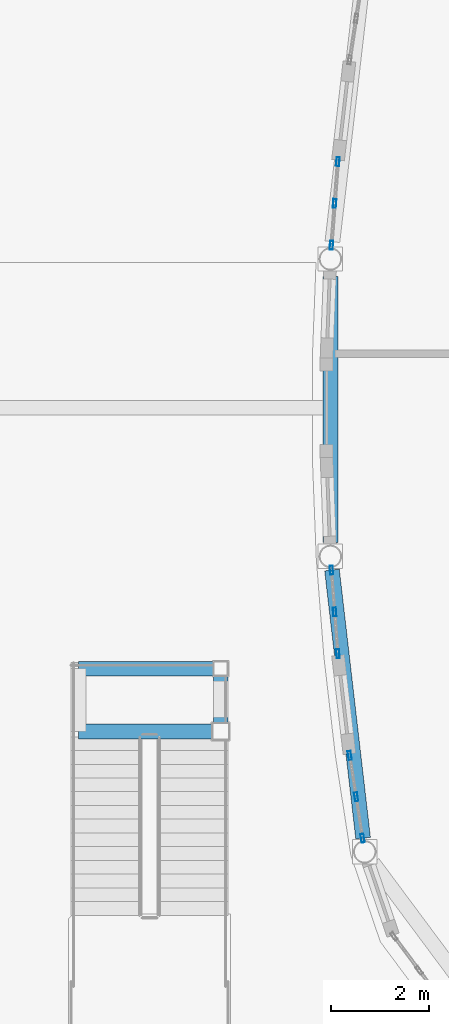
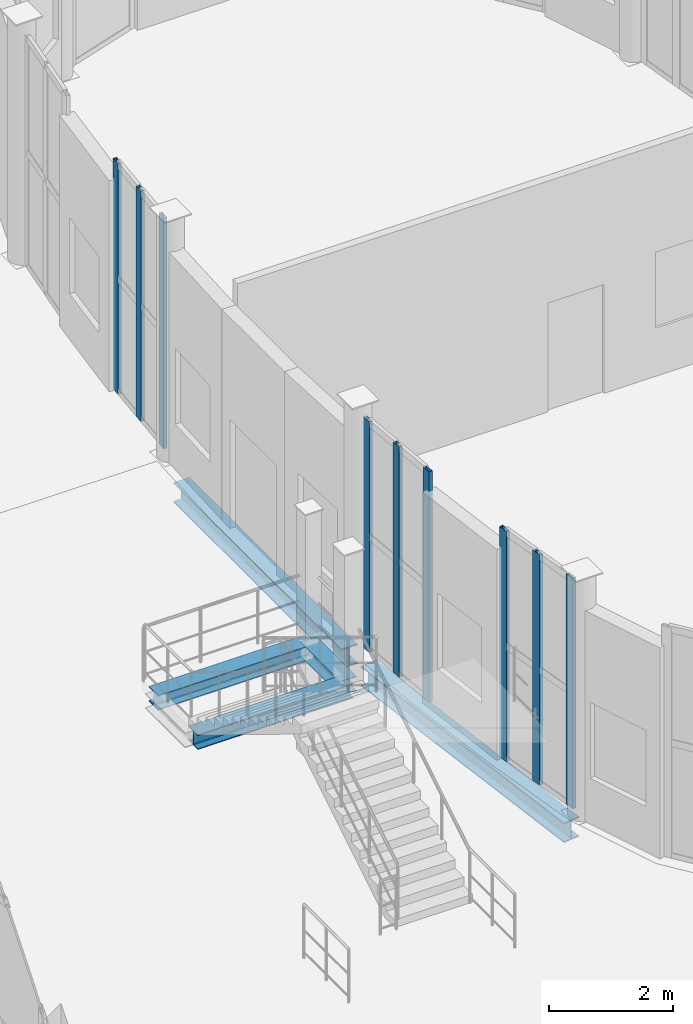
# One storey, part 39 of 91: 9 members, 5 beams, 3 elements without a shape of their own.
"""IFC4 building model written with IfcOpenShell, lengths in metres."""

from ifc_helpers import new_model, si_unit, direction, frame, origin, origin_2d, place, context, subcontext, project, spatial, hollow_rectangle, i_section, extrude, material, layer, layer_set, material_profile, profile_set, type_object, element, aggregate, save


model = new_model("IFC4")

# Units and contexts
model_context = context("Model", 3, precision=1e-05, world=origin(), true_north=direction((0.0, 1.0)))
body_context = subcontext(model_context, "Body", "Model", "MODEL_VIEW")
ifc_project = project(units=[si_unit("LENGTHUNIT", "METRE"), si_unit("AREAUNIT", "SQUARE_METRE"), si_unit("VOLUMEUNIT", "CUBIC_METRE"), si_unit("PLANEANGLEUNIT", "RADIAN"), si_unit("MASSUNIT", "GRAM", prefix="KILO")], contexts=[model_context])

# Site, building, storey
site_placement = place(None, origin())
site = spatial("IfcSite", under=ifc_project, at=site_placement, CompositionType="ELEMENT")
building_placement = place(site_placement, origin())
building = spatial("IfcBuilding", under=site, at=building_placement, Name="Vinh Khe Railworks Police Headquarters", CompositionType="ELEMENT")
storey_placement = place(building_placement, origin())
storey = spatial("IfcBuildingStorey", under=building, at=storey_placement, Name="L00", CompositionType="ELEMENT", Elevation=0.0)

# Beams
ifc_material_1 = material(Name="Steel S355JR", Category="steel")
ifc_material_profile_1 = material_profile(ifc_material_1, i_section(OverallWidth=0.300048828125, OverallDepth=0.2900390625, WebThickness=0.008544921875, FlangeThickness=0.013916015625, FilletRadius=0.027099609375, at=origin_2d()), Name="HEA 300")
ifc_profile_set_1 = profile_set([ifc_material_profile_1], Name="Steel S355JR")
beam_type_1 = type_object("IfcBeamType", Name="Feature Stair Trimmer HEA 300", PredefinedType="BEAM", material=ifc_profile_set_1)
for number, where, z_axis, x_axis, name in (
    (1, (31.64990234375, 35.39990234375, 2.054931640625), (1.0, 0.0, 0.0), (0.0, 1.0, 0.0), "Feature Stair Landing Trimmer L00-1"),
    (2, (31.64990234375, 36.679931640625, 2.054931640625), (1.0, 0.0, 0.0), (0.0, 1.0, 0.0), "Feature Stair Landing Trimmer L00-2"),
):
    element("IfcBeam", number, at=place(storey_placement, frame(where, z_axis=z_axis, x_axis=x_axis)), inside=storey, type_object=beam_type_1, Name=name, PredefinedType="BEAM", context=body_context, shape_type="SweptSolid", body=[
        extrude(i_section(OverallWidth=0.300048828125, OverallDepth=0.2900390625, WebThickness=0.008544921875, FlangeThickness=0.013916015625, FilletRadius=0.027099609375, at=origin_2d()), origin(), (0.0, 0.0, 1.0), 2.900146484375),
    ])
beam_1_placement = place(storey_placement, frame((34.550048828125, 35.39990234375, 2.054931640625), z_axis=(0.0, 1.0, 0.0), x_axis=(-1.0, 0.0, 0.0)))
element("IfcBeam", 3, at=beam_1_placement, inside=storey, type_object=beam_type_1, Name="Feature Stair Landing Stringer Beam L00-2", PredefinedType="BEAM", context=body_context, shape_type="SweptSolid", body=[
    extrude(i_section(OverallWidth=0.300048828125, OverallDepth=0.2900390625, WebThickness=0.008544921875, FlangeThickness=0.013916015625, FilletRadius=0.027099609375, at=origin_2d()), origin(), (0.0, 0.0, 1.0), 1.280029296875),
])

# Curtain wall, members
ifc_material_2 = material(Name="Anodised aluminium and acoustic laminated glass", Category="aluminium")
ifc_layer = layer(ifc_material_2, 0.159912109375)
ifc_layer_set = layer_set([ifc_layer], Name="Anodised aluminium and acoustic laminated glass")
curtain_wall_type = type_object("IfcCurtainWallType", Name="CW-DRUM-CHORD", PredefinedType="USERDEFINED", material=ifc_layer_set)
curtain_wall_1_placement = place(storey_placement, origin())
curtain_wall_1 = element("IfcCurtainWall", 4, at=curtain_wall_1_placement, inside=storey, type_object=curtain_wall_type, Name="Elliptical Command Drum Glazing L00 Chord 21", ObjectType="DRUM FACADE GLAZING", PredefinedType="USERDEFINED")
ifc_material_3 = material(Name="Anodised aluminium 6063-T6", Category="aluminium")
ifc_material_profile_2 = material_profile(ifc_material_3, hollow_rectangle(XDim=0.06494140625, YDim=0.179931640625, WallThickness=0.0048828125, at=origin_2d()), Name="CW-M 65x180x5")
ifc_profile_set_2 = profile_set([ifc_material_profile_2], Name="Anodised aluminium 6063-T6")
member_type = type_object("IfcMemberType", Name="MULL-CWM-02", PredefinedType="MULLION", material=ifc_profile_set_2)
member_1_placement = place(storey_placement, frame((36.94091796875, 47.01611328125, 0.0), z_axis=(0.0, 0.0, 1.0), x_axis=(0.997033391352, -0.076970231448, 0.0)))
member_1 = element("IfcMember", 5, at=member_1_placement, type_object=member_type, Name="CW-02 mullion 1", PredefinedType="MULLION", context=body_context, shape_type="SweptSolid", body=[
    extrude(hollow_rectangle(XDim=0.06494140625, YDim=0.179931640625, WallThickness=0.0048828125, at=origin_2d()), origin(), (0.0, 0.0, 1.0), 4.550048828125),
])
member_2_placement = place(storey_placement, frame((36.875, 46.164306640625, 0.0), z_axis=(0.0, 0.0, 1.0), x_axis=(0.997033391352, -0.076970231448, 0.0)))
member_2 = element("IfcMember", 6, at=member_2_placement, type_object=member_type, Name="CW-02 mullion 2", PredefinedType="MULLION", context=body_context, shape_type="SweptSolid", body=[
    extrude(hollow_rectangle(XDim=0.06494140625, YDim=0.179931640625, WallThickness=0.0048828125, at=origin_2d()), origin(), (0.0, 0.0, 1.0), 4.550048828125),
])
member_3_placement = place(storey_placement, frame((36.809326171875, 45.312255859375, 0.0), z_axis=(0.0, 0.0, 1.0), x_axis=(0.997033391352, -0.076970231448, 0.0)))
member_3 = element("IfcMember", 7, at=member_3_placement, type_object=member_type, Name="CW-02 mullion 3", PredefinedType="MULLION", context=body_context, shape_type="SweptSolid", body=[
    extrude(hollow_rectangle(XDim=0.06494140625, YDim=0.179931640625, WallThickness=0.0048828125, at=origin_2d()), origin(), (0.0, 0.0, 1.0), 4.550048828125),
])
aggregate(curtain_wall_1, [member_1, member_2, member_3])

curtain_wall_2_placement = place(storey_placement, origin())
curtain_wall_2 = element("IfcCurtainWall", 8, at=curtain_wall_2_placement, inside=storey, type_object=curtain_wall_type, Name="Elliptical Command Drum Glazing L00 Chord 25", ObjectType="DRUM FACADE GLAZING", PredefinedType="USERDEFINED")
member_4_placement = place(storey_placement, frame((36.809326171875, 38.687744140625, 0.0), z_axis=(0.0, 0.0, 1.0), x_axis=(0.997033391352, 0.076970231448, 0.0)))
member_4 = element("IfcMember", 9, at=member_4_placement, type_object=member_type, Name="CW-02 mullion 1", PredefinedType="MULLION", context=body_context, shape_type="SweptSolid", body=[
    extrude(hollow_rectangle(XDim=0.06494140625, YDim=0.179931640625, WallThickness=0.0048828125, at=origin_2d()), origin(), (0.0, 0.0, 1.0), 4.550048828125),
])
member_5_placement = place(storey_placement, frame((36.875, 37.835693359375, 0.0), z_axis=(0.0, 0.0, 1.0), x_axis=(0.997033391352, 0.076970231448, 0.0)))
member_5 = element("IfcMember", 10, at=member_5_placement, type_object=member_type, Name="CW-02 mullion 2", PredefinedType="MULLION", context=body_context, shape_type="SweptSolid", body=[
    extrude(hollow_rectangle(XDim=0.06494140625, YDim=0.179931640625, WallThickness=0.0048828125, at=origin_2d()), origin(), (0.0, 0.0, 1.0), 4.550048828125),
])
member_6_placement = place(storey_placement, frame((36.94091796875, 36.98388671875, 0.0), z_axis=(0.0, 0.0, 1.0), x_axis=(0.997033391352, 0.076970231448, 0.0)))
member_6 = element("IfcMember", 11, at=member_6_placement, type_object=member_type, Name="CW-02 mullion 3", PredefinedType="MULLION", context=body_context, shape_type="SweptSolid", body=[
    extrude(hollow_rectangle(XDim=0.06494140625, YDim=0.179931640625, WallThickness=0.0048828125, at=origin_2d()), origin(), (0.0, 0.0, 1.0), 4.550048828125),
])
aggregate(curtain_wall_2, [member_4, member_5, member_6])

curtain_wall_3_placement = place(storey_placement, origin())
curtain_wall_3 = element("IfcCurtainWall", 12, at=curtain_wall_3_placement, inside=storey, type_object=curtain_wall_type, Name="Elliptical Command Drum Glazing L00 Chord 27", ObjectType="DRUM FACADE GLAZING", PredefinedType="USERDEFINED")
member_7_placement = place(storey_placement, frame((37.181396484375, 34.910400390625, 0.0), z_axis=(0.0, 0.0, 1.0), x_axis=(0.988149989037, 0.153491365117, 0.0)))
member_7 = element("IfcMember", 13, at=member_7_placement, type_object=member_type, Name="CW-02 mullion 1", PredefinedType="MULLION", context=body_context, shape_type="SweptSolid", body=[
    extrude(hollow_rectangle(XDim=0.06494140625, YDim=0.179931640625, WallThickness=0.0048828125, at=origin_2d()), origin(), (0.0, 0.0, 1.0), 4.550048828125),
])
member_8_placement = place(storey_placement, frame((37.312744140625, 34.066162109375, 0.0), z_axis=(0.0, 0.0, 1.0), x_axis=(0.988149989037, 0.153491365117, 0.0)))
member_8 = element("IfcMember", 14, at=member_8_placement, type_object=member_type, Name="CW-02 mullion 2", PredefinedType="MULLION", context=body_context, shape_type="SweptSolid", body=[
    extrude(hollow_rectangle(XDim=0.06494140625, YDim=0.179931640625, WallThickness=0.0048828125, at=origin_2d()), origin(), (0.0, 0.0, 1.0), 4.550048828125),
])
member_9_placement = place(storey_placement, frame((37.44384765625, 33.2216796875, 0.0), z_axis=(0.0, 0.0, 1.0), x_axis=(0.988149989037, 0.153491365117, 0.0)))
member_9 = element("IfcMember", 15, at=member_9_placement, type_object=member_type, Name="CW-02 mullion 3", PredefinedType="MULLION", context=body_context, shape_type="SweptSolid", body=[
    extrude(hollow_rectangle(XDim=0.06494140625, YDim=0.179931640625, WallThickness=0.0048828125, at=origin_2d()), origin(), (0.0, 0.0, 1.0), 4.550048828125),
])
aggregate(curtain_wall_3, [member_7, member_8, member_9])

# Beams
ifc_material_profile_3 = material_profile(ifc_material_1, i_section(OverallWidth=0.300048828125, OverallDepth=0.389892578125, WebThickness=0.010986328125, FlangeThickness=0.01904296875, FilletRadius=0.027099609375, at=origin_2d()), Name="HEA 400")
ifc_profile_set_3 = profile_set([ifc_material_profile_3], Name="Steel S355JR")
beam_type_2 = type_object("IfcBeamType", Name="Steel Girder HEA 400", PredefinedType="BEAM", material=ifc_profile_set_3)
beam_2_placement = place(storey_placement, frame((36.81982421875, 38.689697265625, -0.47509765625), z_axis=(0.115322750313, -0.993328074334, 0.0), x_axis=(0.993328074334, 0.115322750313, 0.0)))
element("IfcBeam", 16, at=beam_2_placement, inside=storey, type_object=beam_type_2, Name="Drum Ring Girder BM-L00-DRUM-SB-14-0391", PredefinedType="BEAM", context=body_context, shape_type="SweptSolid", body=[
    extrude(i_section(OverallWidth=0.300048828125, OverallDepth=0.389892578125, WebThickness=0.010986328125, FlangeThickness=0.01904296875, FilletRadius=0.027099609375, at=origin_2d()), origin(), (0.0, 0.0, 1.0), 5.504150390625),
])
beam_3_placement = place(storey_placement, frame((36.78759765625, 44.677001953125, -0.47509765625), z_axis=(0.0, -1.0, 0.0), x_axis=(1.0, 0.0, 0.0)))
element("IfcBeam", 17, at=beam_3_placement, inside=storey, type_object=beam_type_2, Name="Drum Ring Girder BM-L00-DRUM-SB-14-0402", PredefinedType="BEAM", context=body_context, shape_type="SweptSolid", body=[
    extrude(i_section(OverallWidth=0.300048828125, OverallDepth=0.389892578125, WebThickness=0.010986328125, FlangeThickness=0.01904296875, FilletRadius=0.027099609375, at=origin_2d()), origin(), (0.0, 0.0, 1.0), 5.42919921875),
])

save(model, "model.ifc")
